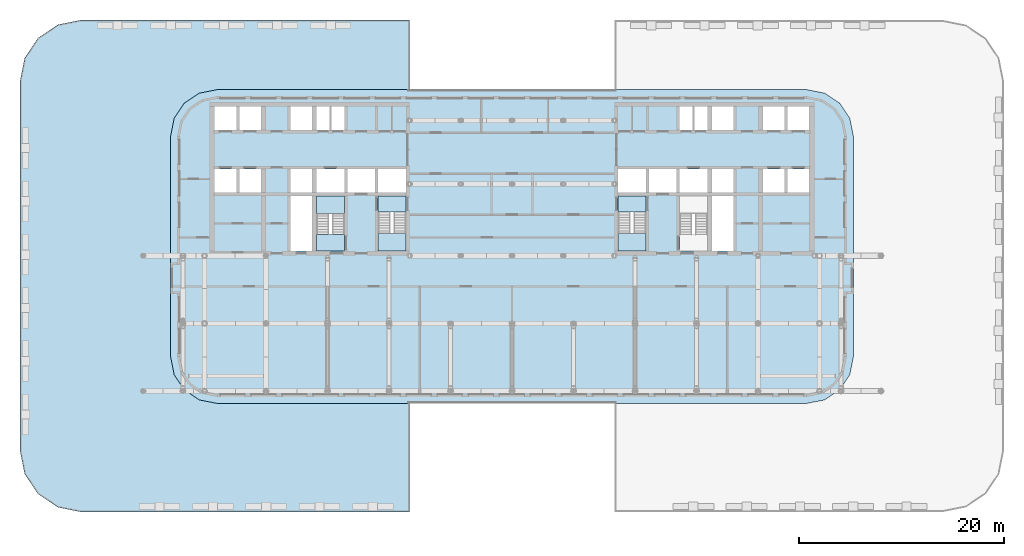
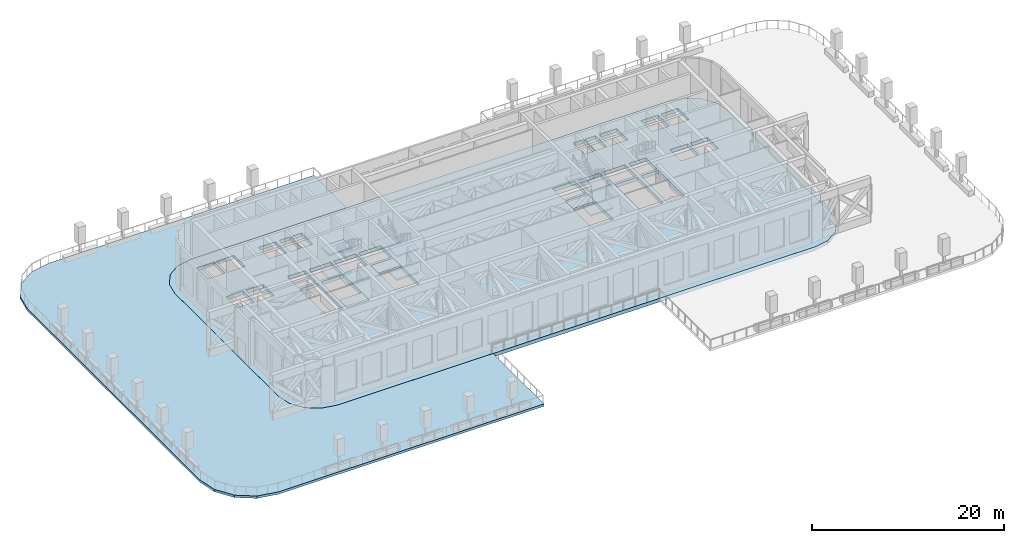
# One storey, part 5 of 20: 14 slabs, 3 elements without a shape of their own.
"""IFC4 building model written with IfcOpenShell, lengths in metres."""

from ifc_helpers import new_model, si_unit, direction, frame, origin, place, context, subcontext, project, spatial, polyline, outline, extrude, material, layer, layer_set, type_object, element, aggregate, save


model = new_model("IFC4")

# Units and contexts
model_context = context("Model", 3, precision=1e-05, world=origin(), true_north=direction((0.0, 1.0)))
body_context = subcontext(model_context, "Body", "Model", "MODEL_VIEW")
ifc_project = project(units=[si_unit("LENGTHUNIT", "METRE"), si_unit("AREAUNIT", "SQUARE_METRE"), si_unit("VOLUMEUNIT", "CUBIC_METRE"), si_unit("PLANEANGLEUNIT", "RADIAN"), si_unit("MASSUNIT", "GRAM", prefix="KILO")], contexts=[model_context])

# Site, building, storey
site_placement = place(None, origin())
site = spatial("IfcSite", under=ifc_project, at=site_placement, CompositionType="ELEMENT")
building_placement = place(site_placement, origin())
building = spatial("IfcBuilding", under=site, at=building_placement, Name="Torana Hotel and Residences", CompositionType="ELEMENT")
storey_placement = place(building_placement, frame((0.0, 0.0, 18.0)))
storey = spatial("IfcBuildingStorey", under=building, at=storey_placement, Name="L03", CompositionType="ELEMENT", Elevation=18.0)

# Slab
ifc_material_1 = material(Name="Concrete C40/50", Category="concrete")
ifc_layer_1 = layer(ifc_material_1, 0.449951171875)
ifc_layer_set_1 = layer_set([ifc_layer_1], Name="FLOOR SLAB PT 450")
slab_type_1 = type_object("IfcSlabType", Name="FLOOR SLAB PT 450", PredefinedType="FLOOR", material=ifc_layer_set_1)
slab_1_placement = place(storey_placement, frame((0.0, 0.0, -0.449951171875)))
element("IfcSlab", 1, at=slab_1_placement, inside=storey, type_object=slab_type_1, Name="Floor slab", PredefinedType="FLOOR", context=body_context, shape_type="SweptSolid", body=[
    extrude(outline(polyline([(33.300048828125, -3.300048828125), (32.95751953125, -1.577880859375), (31.98193359375, -0.117919921875), (30.522216796875, 0.857421875), (28.800048828125, 1.199951171875), (-28.800048828125, 1.199951171875), (-30.522216796875, 0.857421875), (-31.98193359375, -0.117919921875), (-32.95751953125, -1.577880859375), (-33.300048828125, -3.300048828125), (-33.300048828125, -24.89990234375), (-32.95751953125, -26.6220703125), (-31.98193359375, -28.08203125), (-30.522216796875, -29.0576171875), (-28.800048828125, -29.39990234375), (28.800048828125, -29.39990234375), (30.522216796875, -29.0576171875), (31.98193359375, -28.08203125), (32.95751953125, -26.6220703125), (33.300048828125, -24.89990234375), (33.300048828125, -3.300048828125)]), holes=[polyline([(-13.050048828125, -14.550048828125), (-10.35009765625, -14.550048828125), (-10.35009765625, -9.14990234375), (-13.050048828125, -9.14990234375), (-13.050048828125, -14.550048828125)]), polyline([(-19.050048828125, -14.550048828125), (-16.35009765625, -14.550048828125), (-16.35009765625, -9.14990234375), (-19.050048828125, -9.14990234375), (-19.050048828125, -14.550048828125)]), polyline([(-17.625, -2.75), (-16.35009765625, -2.75), (-16.35009765625, -0.449951171875), (-17.625, -0.449951171875), (-17.625, -2.75)]), polyline([(-19.050048828125, -2.75), (-17.77490234375, -2.75), (-17.77490234375, -0.449951171875), (-19.050048828125, -0.449951171875), (-19.050048828125, -2.75)]), polyline([(-26.60009765625, -2.75), (-24.5, -2.75), (-24.5, -0.449951171875), (-26.60009765625, -0.449951171875), (-26.60009765625, -2.75)]), polyline([(-29.0, -2.75), (-26.89990234375, -2.75), (-26.89990234375, -0.449951171875), (-29.0, -0.449951171875), (-29.0, -2.75)]), polyline([(-26.60009765625, -8.85009765625), (-24.5, -8.85009765625), (-24.5, -6.550048828125), (-26.60009765625, -6.550048828125), (-26.60009765625, -8.85009765625)]), polyline([(-29.0, -8.85009765625), (-26.89990234375, -8.85009765625), (-26.89990234375, -6.550048828125), (-29.0, -6.550048828125), (-29.0, -8.85009765625)]), polyline([(-21.60009765625, -2.75), (-19.5, -2.75), (-19.5, -0.449951171875), (-21.60009765625, -0.449951171875), (-21.60009765625, -2.75)]), polyline([(-21.60009765625, -8.85009765625), (-19.5, -8.85009765625), (-19.5, -6.550048828125), (-21.60009765625, -6.550048828125), (-21.60009765625, -8.85009765625)]), polyline([(-13.050048828125, -8.85009765625), (-10.35009765625, -8.85009765625), (-10.35009765625, -6.550048828125), (-13.050048828125, -6.550048828125), (-13.050048828125, -8.85009765625)]), polyline([(-16.050048828125, -8.85009765625), (-13.35009765625, -8.85009765625), (-13.35009765625, -6.550048828125), (-16.050048828125, -6.550048828125), (-16.050048828125, -8.85009765625)]), polyline([(-19.050048828125, -8.85009765625), (-16.35009765625, -8.85009765625), (-16.35009765625, -6.550048828125), (-19.050048828125, -6.550048828125), (-19.050048828125, -8.85009765625)]), polyline([(-21.60009765625, -14.550048828125), (-19.5, -14.550048828125), (-19.5, -9.14990234375), (-21.60009765625, -9.14990234375), (-21.60009765625, -14.550048828125)]), polyline([(10.35009765625, -14.550048828125), (13.050048828125, -14.550048828125), (13.050048828125, -9.14990234375), (10.35009765625, -9.14990234375), (10.35009765625, -14.550048828125)]), polyline([(16.35009765625, -14.550048828125), (19.050048828125, -14.550048828125), (19.050048828125, -9.14990234375), (16.35009765625, -9.14990234375), (16.35009765625, -14.550048828125)]), polyline([(16.35009765625, -2.75), (17.625, -2.75), (17.625, -0.449951171875), (16.35009765625, -0.449951171875), (16.35009765625, -2.75)]), polyline([(17.77490234375, -2.75), (19.050048828125, -2.75), (19.050048828125, -0.449951171875), (17.77490234375, -0.449951171875), (17.77490234375, -2.75)]), polyline([(24.5, -2.75), (26.60009765625, -2.75), (26.60009765625, -0.449951171875), (24.5, -0.449951171875), (24.5, -2.75)]), polyline([(26.89990234375, -2.75), (29.0, -2.75), (29.0, -0.449951171875), (26.89990234375, -0.449951171875), (26.89990234375, -2.75)]), polyline([(24.5, -8.85009765625), (26.60009765625, -8.85009765625), (26.60009765625, -6.550048828125), (24.5, -6.550048828125), (24.5, -8.85009765625)]), polyline([(26.89990234375, -8.85009765625), (29.0, -8.85009765625), (29.0, -6.550048828125), (26.89990234375, -6.550048828125), (26.89990234375, -8.85009765625)]), polyline([(19.5, -2.75), (21.60009765625, -2.75), (21.60009765625, -0.449951171875), (19.5, -0.449951171875), (19.5, -2.75)]), polyline([(19.5, -8.85009765625), (21.60009765625, -8.85009765625), (21.60009765625, -6.550048828125), (19.5, -6.550048828125), (19.5, -8.85009765625)]), polyline([(10.35009765625, -8.85009765625), (13.050048828125, -8.85009765625), (13.050048828125, -6.550048828125), (10.35009765625, -6.550048828125), (10.35009765625, -8.85009765625)]), polyline([(13.35009765625, -8.85009765625), (16.050048828125, -8.85009765625), (16.050048828125, -6.550048828125), (13.35009765625, -6.550048828125), (13.35009765625, -8.85009765625)]), polyline([(16.35009765625, -8.85009765625), (19.050048828125, -8.85009765625), (19.050048828125, -6.550048828125), (16.35009765625, -6.550048828125), (16.35009765625, -8.85009765625)]), polyline([(19.5, -14.550048828125), (21.60009765625, -14.550048828125), (21.60009765625, -9.14990234375), (19.5, -9.14990234375), (19.5, -14.550048828125)])]), origin(), (0.0, 0.0, 1.0), 0.449951171875),
])

# Stair, slabs
ifc_material_2 = material(Name="Concrete C40/50 precast", Category="concrete")
stair_type_1 = type_object("IfcStairType", Name="STAIR ST1 HALF TURN 1200", PredefinedType="HALF_TURN_STAIR", material=ifc_material_2)
stair_1_placement = place(storey_placement, origin())
stair_1 = element("IfcStair", 2, at=stair_1_placement, inside=storey, type_object=stair_type_1, Name="Stair ST1 L03", PredefinedType="HALF_TURN_STAIR")
ifc_material_3 = material(Name="Concrete C40/50 precast", Category="concrete")
ifc_layer_2 = layer(ifc_material_3, 0.199951171875)
ifc_layer_set_2 = layer_set([ifc_layer_2], Name="STAIR LANDING 200")
slab_type_2 = type_object("IfcSlabType", Name="STAIR LANDING 200", PredefinedType="LANDING", material=ifc_layer_set_2)
slab_2_placement = place(storey_placement, frame((0.0, 0.0, 1.300048828125)))
slab_2 = element("IfcSlab", 3, at=slab_2_placement, type_object=slab_type_2, Name="ST1 landing 1", PredefinedType="LANDING", context=body_context, shape_type="SweptSolid", body=[
    extrude(outline(polyline([(-13.050048828125, -14.550048828125), (-10.35009765625, -14.550048828125), (-10.35009765625, -12.830078125), (-13.050048828125, -12.830078125), (-13.050048828125, -14.550048828125)])), origin(), (0.0, 0.0, 1.0), 0.199951171875),
])
slab_3_placement = place(storey_placement, frame((0.0, 0.0, -0.199951171875)))
slab_3 = element("IfcSlab", 4, at=slab_3_placement, type_object=slab_type_2, Name="ST1 landing 2", PredefinedType="LANDING", context=body_context, shape_type="SweptSolid", body=[
    extrude(outline(polyline([(-13.050048828125, -10.75), (-10.35009765625, -10.75), (-10.35009765625, -9.14990234375), (-13.050048828125, -9.14990234375), (-13.050048828125, -10.75)])), origin(), (0.0, 0.0, 1.0), 0.199951171875),
])
slab_4_placement = place(storey_placement, frame((0.0, 0.0, 4.300048828125)))
slab_4 = element("IfcSlab", 5, at=slab_4_placement, type_object=slab_type_2, Name="ST1 landing 3", PredefinedType="LANDING", context=body_context, shape_type="SweptSolid", body=[
    extrude(outline(polyline([(-13.050048828125, -14.550048828125), (-10.35009765625, -14.550048828125), (-10.35009765625, -12.830078125), (-13.050048828125, -12.830078125), (-13.050048828125, -14.550048828125)])), origin(), (0.0, 0.0, 1.0), 0.199951171875),
])
slab_5_placement = place(storey_placement, frame((0.0, 0.0, 2.800048828125)))
slab_5 = element("IfcSlab", 6, at=slab_5_placement, type_object=slab_type_2, Name="ST1 landing 4", PredefinedType="LANDING", context=body_context, shape_type="SweptSolid", body=[
    extrude(outline(polyline([(-13.050048828125, -10.75), (-10.35009765625, -10.75), (-10.35009765625, -9.14990234375), (-13.050048828125, -9.14990234375), (-13.050048828125, -10.75)])), origin(), (0.0, 0.0, 1.0), 0.199951171875),
])
aggregate(stair_1, [slab_2, slab_3, slab_4, slab_5])

ifc_material_4 = material(Name="Concrete C40/50 precast", Category="concrete")
stair_type_2 = type_object("IfcStairType", Name="STAIR ST2 HALF TURN 1200", PredefinedType="HALF_TURN_STAIR", material=ifc_material_4)
stair_2_placement = place(storey_placement, origin())
stair_2 = element("IfcStair", 7, at=stair_2_placement, inside=storey, type_object=stair_type_2, Name="Stair ST2 L03", PredefinedType="HALF_TURN_STAIR")
slab_6_placement = place(storey_placement, frame((0.0, 0.0, 1.300048828125)))
slab_6 = element("IfcSlab", 8, at=slab_6_placement, type_object=slab_type_2, Name="ST2 landing 1", PredefinedType="LANDING", context=body_context, shape_type="SweptSolid", body=[
    extrude(outline(polyline([(-19.050048828125, -10.8701171875), (-16.35009765625, -10.8701171875), (-16.35009765625, -9.14990234375), (-19.050048828125, -9.14990234375), (-19.050048828125, -10.8701171875)])), origin(), (0.0, 0.0, 1.0), 0.199951171875),
])
slab_7_placement = place(storey_placement, frame((0.0, 0.0, -0.199951171875)))
slab_7 = element("IfcSlab", 9, at=slab_7_placement, type_object=slab_type_2, Name="ST2 landing 2", PredefinedType="LANDING", context=body_context, shape_type="SweptSolid", body=[
    extrude(outline(polyline([(-19.050048828125, -14.550048828125), (-16.35009765625, -14.550048828125), (-16.35009765625, -12.949951171875), (-19.050048828125, -12.949951171875), (-19.050048828125, -14.550048828125)])), origin(), (0.0, 0.0, 1.0), 0.199951171875),
])
slab_8_placement = place(storey_placement, frame((0.0, 0.0, 4.300048828125)))
slab_8 = element("IfcSlab", 10, at=slab_8_placement, type_object=slab_type_2, Name="ST2 landing 3", PredefinedType="LANDING", context=body_context, shape_type="SweptSolid", body=[
    extrude(outline(polyline([(-19.050048828125, -10.8701171875), (-16.35009765625, -10.8701171875), (-16.35009765625, -9.14990234375), (-19.050048828125, -9.14990234375), (-19.050048828125, -10.8701171875)])), origin(), (0.0, 0.0, 1.0), 0.199951171875),
])
slab_9_placement = place(storey_placement, frame((0.0, 0.0, 2.800048828125)))
slab_9 = element("IfcSlab", 11, at=slab_9_placement, type_object=slab_type_2, Name="ST2 landing 4", PredefinedType="LANDING", context=body_context, shape_type="SweptSolid", body=[
    extrude(outline(polyline([(-19.050048828125, -14.550048828125), (-16.35009765625, -14.550048828125), (-16.35009765625, -12.949951171875), (-19.050048828125, -12.949951171875), (-19.050048828125, -14.550048828125)])), origin(), (0.0, 0.0, 1.0), 0.199951171875),
])
aggregate(stair_2, [slab_6, slab_7, slab_8, slab_9])

ifc_material_5 = material(Name="Concrete C40/50 precast", Category="concrete")
stair_type_3 = type_object("IfcStairType", Name="STAIR ST3 HALF TURN 1200", PredefinedType="HALF_TURN_STAIR", material=ifc_material_5)
stair_3_placement = place(storey_placement, origin())
stair_3 = element("IfcStair", 12, at=stair_3_placement, inside=storey, type_object=stair_type_3, Name="Stair ST3 L03", PredefinedType="HALF_TURN_STAIR")
slab_10_placement = place(storey_placement, frame((0.0, 0.0, 1.300048828125)))
slab_10 = element("IfcSlab", 13, at=slab_10_placement, type_object=slab_type_2, Name="ST3 landing 1", PredefinedType="LANDING", context=body_context, shape_type="SweptSolid", body=[
    extrude(outline(polyline([(10.35009765625, -14.550048828125), (13.050048828125, -14.550048828125), (13.050048828125, -12.830078125), (10.35009765625, -12.830078125), (10.35009765625, -14.550048828125)])), origin(), (0.0, 0.0, 1.0), 0.199951171875),
])
slab_11_placement = place(storey_placement, frame((0.0, 0.0, -0.199951171875)))
slab_11 = element("IfcSlab", 14, at=slab_11_placement, type_object=slab_type_2, Name="ST3 landing 2", PredefinedType="LANDING", context=body_context, shape_type="SweptSolid", body=[
    extrude(outline(polyline([(10.35009765625, -10.75), (13.050048828125, -10.75), (13.050048828125, -9.14990234375), (10.35009765625, -9.14990234375), (10.35009765625, -10.75)])), origin(), (0.0, 0.0, 1.0), 0.199951171875),
])
slab_12_placement = place(storey_placement, frame((0.0, 0.0, 4.300048828125)))
slab_12 = element("IfcSlab", 15, at=slab_12_placement, type_object=slab_type_2, Name="ST3 landing 3", PredefinedType="LANDING", context=body_context, shape_type="SweptSolid", body=[
    extrude(outline(polyline([(10.35009765625, -14.550048828125), (13.050048828125, -14.550048828125), (13.050048828125, -12.830078125), (10.35009765625, -12.830078125), (10.35009765625, -14.550048828125)])), origin(), (0.0, 0.0, 1.0), 0.199951171875),
])
slab_13_placement = place(storey_placement, frame((0.0, 0.0, 2.800048828125)))
slab_13 = element("IfcSlab", 16, at=slab_13_placement, type_object=slab_type_2, Name="ST3 landing 4", PredefinedType="LANDING", context=body_context, shape_type="SweptSolid", body=[
    extrude(outline(polyline([(10.35009765625, -10.75), (13.050048828125, -10.75), (13.050048828125, -9.14990234375), (10.35009765625, -9.14990234375), (10.35009765625, -10.75)])), origin(), (0.0, 0.0, 1.0), 0.199951171875),
])
aggregate(stair_3, [slab_10, slab_11, slab_12, slab_13])

# Slab
ifc_material_6 = material(Name="Concrete C40/50", Category="concrete")
ifc_layer_3 = layer(ifc_material_6, 0.300048828125)
ifc_layer_set_3 = layer_set([ifc_layer_3], Name="TR1 TERRACE SLAB 300")
slab_type_3 = type_object("IfcSlabType", Name="TR1 TERRACE SLAB 300", PredefinedType="USERDEFINED", material=ifc_layer_set_3)
slab_14_placement = place(storey_placement, frame((0.0, 0.0, -0.300048828125)))
element("IfcSlab", 17, at=slab_14_placement, inside=storey, type_object=slab_type_3, Name="Terrace L03 1", ObjectType="TERRACE", PredefinedType="USERDEFINED", context=body_context, shape_type="SweptSolid", body=[
    extrude(outline(polyline([(-46.24267578125, -38.24267578125), (-47.543212890625, -36.296142578125), (-48.0, -34.0), (-48.0, 2.0), (-47.543212890625, 4.296142578125), (-46.24267578125, 6.24267578125), (-44.296142578125, 7.543212890625), (-42.0, 8.0), (-10.0, 8.0), (-10.0, 1.200927734375), (-28.800048828125, 1.200927734375), (-28.800048828125, 1.200927734375), (-28.80029296875, 1.200927734375), (-30.522216796875, 0.8583984375), (-30.5224609375, 0.8583984375), (-30.5224609375, 0.8583984375), (-30.522705078125, 0.8583984375), (-30.522705078125, 0.8583984375), (-31.982666015625, -0.1171875), (-31.982666015625, -0.1171875), (-31.982666015625, -0.1171875), (-31.98291015625, -0.117431640625), (-31.98291015625, -0.117431640625), (-32.958251953125, -1.577392578125), (-32.95849609375, -1.577392578125), (-32.95849609375, -1.577392578125), (-32.95849609375, -1.57763671875), (-32.95849609375, -1.57763671875), (-33.301025390625, -3.2998046875), (-33.301025390625, -3.2998046875), (-33.301025390625, -3.300048828125), (-33.301025390625, -24.89990234375), (-33.301025390625, -24.900146484375), (-33.301025390625, -24.900146484375), (-32.95849609375, -26.622314453125), (-32.95849609375, -26.622314453125), (-32.95849609375, -26.62255859375), (-32.95849609375, -26.62255859375), (-32.958251953125, -26.622802734375), (-31.98291015625, -28.08251953125), (-31.98291015625, -28.08251953125), (-31.982666015625, -28.082763671875), (-31.982666015625, -28.082763671875), (-31.982666015625, -28.082763671875), (-30.522705078125, -29.058349609375), (-30.522705078125, -29.058349609375), (-30.5224609375, -29.058349609375), (-30.5224609375, -29.05859375), (-30.522216796875, -29.05859375), (-28.80029296875, -29.40087890625), (-28.800048828125, -29.40087890625), (-28.800048828125, -29.40087890625), (-10.0, -29.40087890625), (-10.0, -40.0), (-42.0, -40.0), (-44.296142578125, -39.543212890625), (-46.24267578125, -38.24267578125)])), origin(), (0.0, 0.0, 1.0), 0.300048828125),
])

save(model, "model.ifc")
